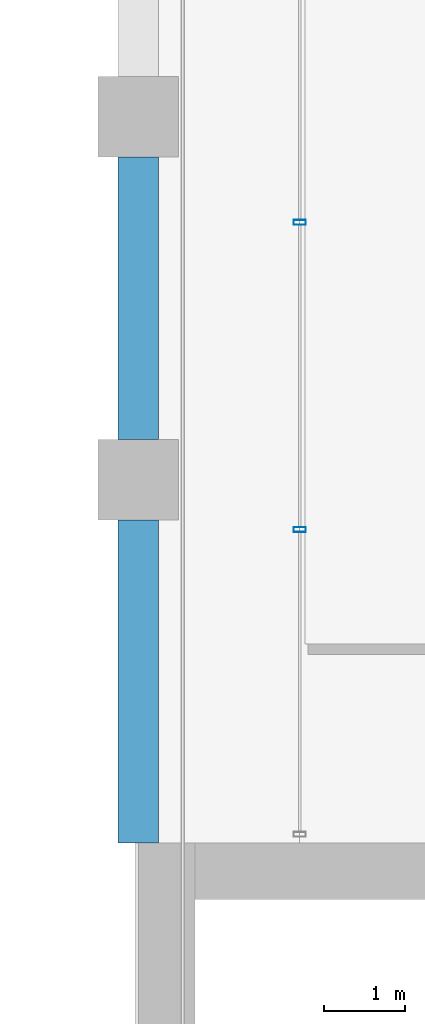
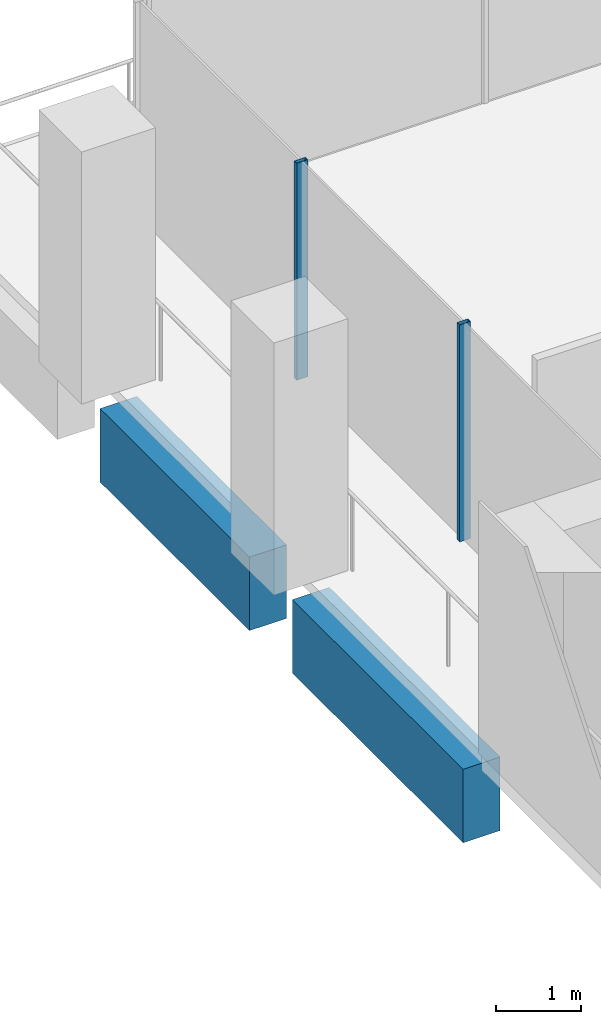
# One storey, part 20 of 47: 2 beams, 2 members, 1 element without a shape of its own.
"""IFC4 building model written with IfcOpenShell, lengths in metres."""

from ifc_helpers import new_model, si_unit, direction, frame, origin, origin_2d, place, context, subcontext, project, spatial, rectangle, hollow_rectangle, extrude, material, material_profile, profile_set, type_object, element, aggregate, save


model = new_model("IFC4")

# Units and contexts
model_context = context("Model", 3, precision=1e-05, world=origin(), true_north=direction((0.0, 1.0)))
body_context = subcontext(model_context, "Body", "Model", "MODEL_VIEW")
ifc_project = project(units=[si_unit("LENGTHUNIT", "METRE"), si_unit("AREAUNIT", "SQUARE_METRE"), si_unit("VOLUMEUNIT", "CUBIC_METRE"), si_unit("PLANEANGLEUNIT", "RADIAN"), si_unit("MASSUNIT", "GRAM", prefix="KILO")], contexts=[model_context])

# Site, building, storey
site_placement = place(None, origin())
site = spatial("IfcSite", under=ifc_project, at=site_placement, CompositionType="ELEMENT")
building_placement = place(site_placement, origin())
building = spatial("IfcBuilding", under=site, at=building_placement, Name="Altepetl Exchange Towers", CompositionType="ELEMENT")
storey_placement = place(building_placement, frame((0.0, 0.0, 95.60009765625)))
storey = spatial("IfcBuildingStorey", under=building, at=storey_placement, Name="L23", CompositionType="ELEMENT", Elevation=95.60009765625)

# Curtain wall, members
ifc_material_1 = material(Name="Aluminium 6063-T6 glazing", Category="aluminium")
curtain_wall_type = type_object("IfcCurtainWallType", Name="Loggia glazing system", PredefinedType="NOTDEFINED", material=ifc_material_1)
curtain_wall_placement = place(storey_placement, origin())
curtain_wall = element("IfcCurtainWall", 1, at=curtain_wall_placement, inside=storey, type_object=curtain_wall_type, Name="CW1 run", PredefinedType="NOTDEFINED")
ifc_material_2 = material(Name="Aluminium 6063-T6", Category="aluminium")
ifc_material_profile_1 = material_profile(ifc_material_2, hollow_rectangle(XDim=0.06005859375, YDim=0.14990234375, WallThickness=0.0029296875, at=origin_2d()), Name="Mullion 60x150 aluminium")
ifc_profile_set_1 = profile_set([ifc_material_profile_1], Name="Aluminium 6063-T6")
member_type = type_object("IfcMemberType", Name="Mullion 60x150 aluminium", PredefinedType="MULLION", material=ifc_profile_set_1)
member_1_placement = place(storey_placement, frame((42.5, 66.191650390625, 0.0), z_axis=(0.0, 0.0, 1.0), x_axis=(0.0, -1.0, 0.0)))
member_1 = element("IfcMember", 2, at=member_1_placement, type_object=member_type, Name="MU1 mullion", PredefinedType="MULLION", context=body_context, shape_type="SweptSolid", body=[
    extrude(hollow_rectangle(XDim=0.06005859375, YDim=0.14990234375, WallThickness=0.0029296875, at=origin_2d()), origin(), (0.0, 0.0, 1.0), 3.099853515625),
])
member_2_placement = place(storey_placement, frame((42.5, 62.38330078125, 0.0), z_axis=(0.0, 0.0, 1.0), x_axis=(0.0, -1.0, 0.0)))
member_2 = element("IfcMember", 3, at=member_2_placement, type_object=member_type, Name="MU1 mullion", PredefinedType="MULLION", context=body_context, shape_type="SweptSolid", body=[
    extrude(hollow_rectangle(XDim=0.06005859375, YDim=0.14990234375, WallThickness=0.0029296875, at=origin_2d()), origin(), (0.0, 0.0, 1.0), 3.099853515625),
])
aggregate(curtain_wall, [member_1, member_2])

# Beams
ifc_material_3 = material(Name="Concrete C50/60 precast with tezontle facing", Category="concrete")
ifc_material_profile_2 = material_profile(ifc_material_3, rectangle(XDim=0.5, YDim=1.050048828125, at=origin_2d()), Name="500 x 1050")
ifc_profile_set_2 = profile_set([ifc_material_profile_2], Name="Concrete C50/60 precast with tezontle facing")
beam_type = type_object("IfcBeamType", Name="Spandrel beam 500x1050 tezontle", PredefinedType="SPANDREL", material=ifc_profile_set_2)
beam_1_placement = place(storey_placement, frame((40.5, 67.0, -0.675048828125), z_axis=(0.0, -1.0, 0.0), x_axis=(1.0, 0.0, 0.0)))
element("IfcBeam", 4, at=beam_1_placement, inside=storey, type_object=beam_type, Name="sp:A:L23:031", PredefinedType="SPANDREL", context=body_context, shape_type="SweptSolid", body=[
    extrude(rectangle(XDim=0.5, YDim=1.050048828125, at=origin_2d()), origin(), (0.0, 0.0, 1.0), 3.5),
])
beam_2_placement = place(storey_placement, frame((40.5, 62.5, -0.675048828125), z_axis=(0.0, -1.0, 0.0), x_axis=(1.0, 0.0, 0.0)))
element("IfcBeam", 5, at=beam_2_placement, inside=storey, type_object=beam_type, Name="sp:A:L23:032", PredefinedType="SPANDREL", context=body_context, shape_type="SweptSolid", body=[
    extrude(rectangle(XDim=0.5, YDim=1.050048828125, at=origin_2d()), origin(), (0.0, 0.0, 1.0), 4.0),
])

save(model, "model.ifc")
